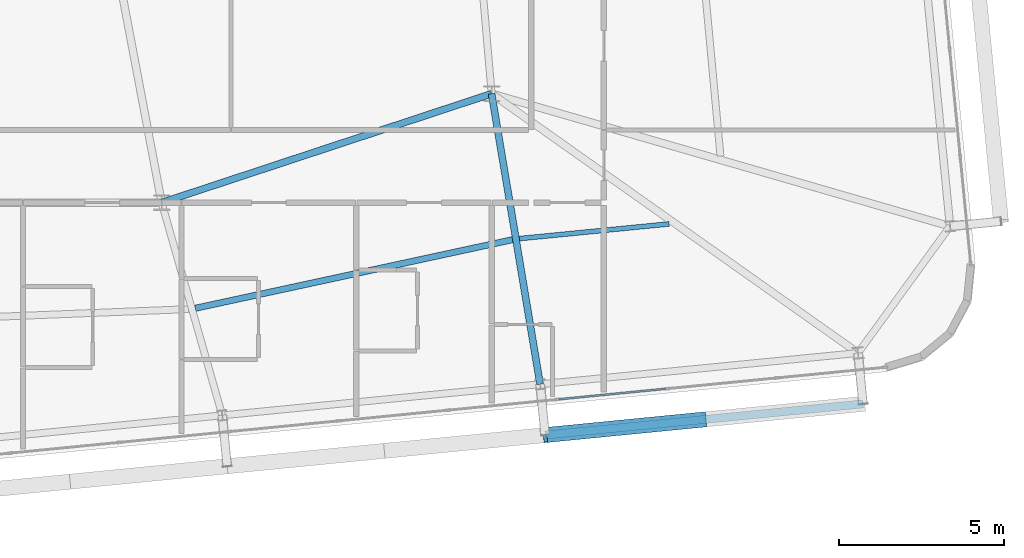
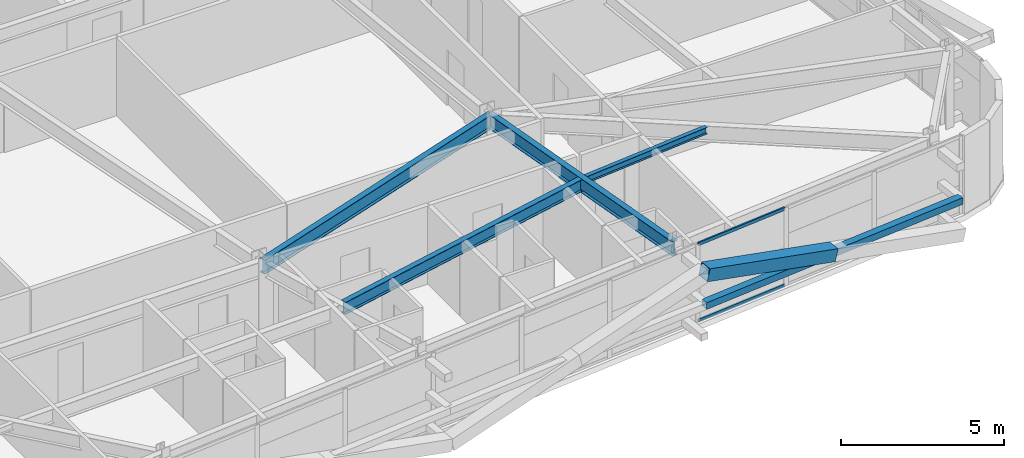
# One storey, part 19 of 53: 4 beams, 4 members, 1 element without a shape of its own.
"""IFC4 building model written with IfcOpenShell, lengths in metres."""

from ifc_helpers import new_model, si_unit, direction, frame, origin, origin_2d, place, context, subcontext, project, spatial, hollow_rectangle, i_section, extrude, source, transform, mapped, material, layer, layer_set, material_profile, profile_set, type_object, element, aggregate, save


model = new_model("IFC4")

# Units and contexts
model_context = context("Model", 3, precision=1e-05, world=origin(), true_north=direction((0.0, 1.0)))
body_context = subcontext(model_context, "Body", "Model", "MODEL_VIEW")
ifc_project = project(units=[si_unit("LENGTHUNIT", "METRE"), si_unit("AREAUNIT", "SQUARE_METRE"), si_unit("VOLUMEUNIT", "CUBIC_METRE"), si_unit("PLANEANGLEUNIT", "RADIAN"), si_unit("MASSUNIT", "GRAM", prefix="KILO")], contexts=[model_context])

# Site, building, storey
site_placement = place(None, origin())
site = spatial("IfcSite", under=ifc_project, at=site_placement, CompositionType="ELEMENT")
building_placement = place(site_placement, origin())
building = spatial("IfcBuilding", under=site, at=building_placement, Name="Taldren Reach Tower", CompositionType="ELEMENT")
storey_placement = place(building_placement, frame((0.0, 0.0, 71.39990234375)))
storey = spatial("IfcBuildingStorey", under=building, at=storey_placement, Name="L21", CompositionType="ELEMENT", Elevation=71.39990234375)

# Beams
ifc_material_1 = material(Name="Steel Gr 350 (350PLUS)", Category="steel")
ifc_material_profile_1 = material_profile(ifc_material_1, i_section(OverallWidth=0.208984375, OverallDepth=0.532958984375, WebThickness=0.01025390625, FlangeThickness=0.015625, at=origin_2d()), Name="530UB92.4")
ifc_profile_set_1 = profile_set([ifc_material_profile_1], Name="Steel Gr 350 (350PLUS)")
beam_type_1 = type_object("IfcBeamType", Name="BM-UB530A", PredefinedType="BEAM", material=ifc_profile_set_1)
shared_shape_1 = source(origin(), body_context, "Body", "SweptSolid", [
    extrude(i_section(OverallWidth=0.208984375, OverallDepth=0.532958984375, WebThickness=0.01025390625, FlangeThickness=0.015625, at=origin_2d()), origin(), (0.0, 0.0, 1.0), 10.530517578125),
])
beam_1_placement = place(storey_placement, frame((42.0, 9.199951171875, 2.66357421875), z_axis=(0.949627269203, 0.313381635689, 0.0), x_axis=(-0.313381635689, 0.949627269203, 0.0)))
element("IfcBeam", 1, at=beam_1_placement, inside=storey, type_object=beam_type_1, Name="Core-spine girder L21-SP12", PredefinedType="BEAM", context=body_context, shape_type="MappedRepresentation", body=[
    mapped(shared_shape_1, transform((0.0, 0.0, 0.0), scale=1.0)),
])
shared_shape_2 = source(origin(), body_context, "Body", "SweptSolid", [
    extrude(i_section(OverallWidth=0.208984375, OverallDepth=0.532958984375, WebThickness=0.01025390625, FlangeThickness=0.015625, at=origin_2d()), origin(), (0.0, 0.0, 1.0), 8.92333984375),
])
beam_2_placement = place(storey_placement, frame((52.0, 12.5, 2.66357421875), z_axis=(0.164678494096, -0.986347298664, 0.0), x_axis=(0.986347298664, 0.164678494096, 0.0)))
element("IfcBeam", 2, at=beam_2_placement, inside=storey, type_object=beam_type_1, Name="Primary floor girder B2-S5 L21", PredefinedType="BEAM", context=body_context, shape_type="MappedRepresentation", body=[
    mapped(shared_shape_2, transform((0.0, 0.0, 0.0), scale=1.0)),
])
ifc_material_profile_2 = material_profile(ifc_material_1, i_section(OverallWidth=0.19091796875, OverallDepth=0.4599609375, WebThickness=0.010009765625, FlangeThickness=0.01611328125, at=origin_2d()), Name="460UB82.1")
ifc_profile_set_2 = profile_set([ifc_material_profile_2], Name="Steel Gr 350 (350PLUS)")
beam_type_2 = type_object("IfcBeamType", Name="BM-UB460A", PredefinedType="BEAM", material=ifc_profile_set_2)
shared_shape_3 = source(origin(), body_context, "Body", "SweptSolid", [
    extrude(i_section(OverallWidth=0.19091796875, OverallDepth=0.4599609375, WebThickness=0.010009765625, FlangeThickness=0.01611328125, at=origin_2d()), origin(), (0.0, 0.0, 1.0), 9.83447265625),
])
beam_3_placement = place(storey_placement, frame((43.02001953125, 5.9990234375, 2.7001953125), z_axis=(0.977418600156, 0.211312280924, 0.0), x_axis=(-0.211312280924, 0.977418600156, 0.0)))
element("IfcBeam", 3, at=beam_3_placement, inside=storey, type_object=beam_type_2, Name="Secondary floor beam B2 J4 L21", PredefinedType="BEAM", context=body_context, shape_type="MappedRepresentation", body=[
    mapped(shared_shape_3, transform((0.0, 0.0, 0.0), scale=1.0)),
])
ifc_material_2 = material(Name="Steel Gr 300 (300PLUS, 300 MPa)", Category="steel")
ifc_material_profile_3 = material_profile(ifc_material_2, i_section(OverallWidth=0.14599609375, OverallDepth=0.256103515625, WebThickness=0.00634765625, FlangeThickness=0.010986328125, at=origin_2d()), Name="250UB37.3")
ifc_profile_set_3 = profile_set([ifc_material_profile_3], Name="Steel Gr 300 (300PLUS, 300 MPa)")
beam_type_3 = type_object("IfcBeamType", Name="JS-UB250", PredefinedType="JOIST", material=ifc_profile_set_3)
shared_shape_4 = source(origin(), body_context, "Body", "SweptSolid", [
    extrude(i_section(OverallWidth=0.14599609375, OverallDepth=0.256103515625, WebThickness=0.00634765625, FlangeThickness=0.010986328125, at=origin_2d()), origin(), (0.0, 0.0, 1.0), 4.56103515625),
])
beam_4_placement = place(storey_placement, frame((52.8388671875, 8.109375, 2.802001953125), z_axis=(0.995227709746, 0.097579740487, 0.0), x_axis=(-0.097579740487, 0.995227709746, 0.0)))
element("IfcBeam", 4, at=beam_4_placement, inside=storey, type_object=beam_type_3, Name="Secondary floor joist B2 J5 L21", PredefinedType="JOIST", context=body_context, shape_type="MappedRepresentation", body=[
    mapped(shared_shape_4, transform((0.0, 0.0, 0.0), scale=1.0)),
])

# Members
ifc_material_3 = material(Name="Steel Gr 450 (C450L0)", Category="steel")
ifc_material_profile_4 = material_profile(ifc_material_3, hollow_rectangle(XDim=0.4599609375, YDim=0.4599609375, WallThickness=0.01611328125, at=origin_2d()), Name="460x460x16.0SHS")
ifc_profile_set_4 = profile_set([ifc_material_profile_4], Name="Steel Gr 450 (C450L0)")
member_type_1 = type_object("IfcMemberType", Name="MB-EXO457", PredefinedType="BRACE", material=ifc_profile_set_4)
shared_shape_5 = source(origin(), body_context, "Body", "SweptSolid", [
    extrude(hollow_rectangle(XDim=0.4599609375, YDim=0.4599609375, WallThickness=0.01611328125, at=origin_2d()), origin(), (0.0, 0.0, 1.0), 4.990234375),
])
member_1_placement = place(storey_placement, frame((58.4375, 2.628173828125, 1.43505859375), z_axis=(-0.965275526283, -0.094619506732, 0.243496010862), x_axis=(0.097555749586, -0.995230061706, 0.0)))
element("IfcMember", 5, at=member_1_placement, inside=storey, type_object=member_type_1, Name="Exoskeleton Diagrid Brace B2-S5 L21", PredefinedType="BRACE", context=body_context, shape_type="MappedRepresentation", body=[
    mapped(shared_shape_5, transform((0.0, 0.0, 0.0), scale=1.0)),
])
ifc_material_4 = material(Name="Steel Gr 350 (C350L0)", Category="steel")
ifc_material_profile_5 = material_profile(ifc_material_4, hollow_rectangle(XDim=0.25, YDim=0.25, WallThickness=0.010009765625, at=origin_2d()), Name="250x250x10.0SHS")
ifc_profile_set_5 = profile_set([ifc_material_profile_5], Name="Steel Gr 350 (C350L0)")
member_type_2 = type_object("IfcMemberType", Name="MB-POST250", PredefinedType="POST", material=ifc_profile_set_5)
shared_shape_6 = source(origin(), body_context, "Body", "SweptSolid", [
    extrude(hollow_rectangle(XDim=0.25, YDim=0.25, WallThickness=0.010009765625, at=origin_2d()), origin(), (0.0, 0.0, 1.0), 9.679931640625),
])
member_2_placement = place(storey_placement, frame((53.62060546875, 2.156005859375, 1.43505859375), z_axis=(0.995227612658, 0.097580730699, 0.0), x_axis=(-0.097580730699, 0.995227612658, 0.0)))
element("IfcMember", 6, at=member_2_placement, inside=storey, type_object=member_type_2, Name="Exoskeleton mid-height ring chord B2-S5 L21", PredefinedType="POST", context=body_context, shape_type="MappedRepresentation", body=[
    mapped(shared_shape_6, transform((0.0, 0.0, 0.0), scale=1.0)),
])

# Curtain wall, members
ifc_material_5 = material(Name="Aluminium and Low-E Glass Unitised System", Category="aluminium")
ifc_layer = layer(ifc_material_5, 0.159912109375)
ifc_layer_set = layer_set([ifc_layer], Name="Aluminium and Low-E Glass Unitised System")
curtain_wall_type = type_object("IfcCurtainWallType", Name="CW-SYS-3", PredefinedType="NOTDEFINED", material=ifc_layer_set)
curtain_wall_placement = place(storey_placement, origin())
curtain_wall = element("IfcCurtainWall", 7, at=curtain_wall_placement, inside=storey, type_object=curtain_wall_type, Name="Unitised curtain wall CW-L21-S", PredefinedType="NOTDEFINED")
ifc_material_6 = material(Name="Anodised Aluminium 6063-T6", Category="aluminium")
ifc_material_profile_6 = material_profile(ifc_material_6, hollow_rectangle(XDim=0.054931640625, YDim=0.1201171875, WallThickness=0.0029296875, at=origin_2d()), Name="ALU-120x55x3RHS")
ifc_profile_set_6 = profile_set([ifc_material_profile_6], Name="Anodised Aluminium 6063-T6")
member_type_3 = type_object("IfcMemberType", Name="CW-TRN-135", PredefinedType="USERDEFINED", material=ifc_profile_set_6)
shared_shape_7 = source(origin(), body_context, "Body", "SweptSolid", [
    extrude(hollow_rectangle(XDim=0.054931640625, YDim=0.1201171875, WallThickness=0.0029296875, at=origin_2d()), origin(), (0.0, 0.0, 1.0), 3.268310546875),
])
member_3_placement = place(storey_placement, frame((54.029296875, 3.240966796875, 0.027587890625), z_axis=(0.99522980512, 0.097558367146, 0.0), x_axis=(-0.097558367146, 0.99522980512, 0.0)))
member_3 = element("IfcMember", 8, at=member_3_placement, type_object=member_type_3, Name="CW-3 transom 13.1", ObjectType="TRANSOM", PredefinedType="USERDEFINED", context=body_context, shape_type="MappedRepresentation", body=[
    mapped(shared_shape_7, transform((0.0, 0.0, 0.0), scale=1.0)),
])
member_4_placement = place(storey_placement, frame((54.029296875, 3.240966796875, 2.902587890625), z_axis=(0.99522980512, 0.097558367146, 0.0), x_axis=(-0.097558367146, 0.99522980512, 0.0)))
member_4 = element("IfcMember", 9, at=member_4_placement, type_object=member_type_3, Name="CW-3 transom 13.2", ObjectType="TRANSOM", PredefinedType="USERDEFINED", context=body_context, shape_type="MappedRepresentation", body=[
    mapped(shared_shape_7, transform((0.0, 0.0, 0.0), scale=1.0)),
])
aggregate(curtain_wall, [member_3, member_4])

save(model, "model.ifc")
